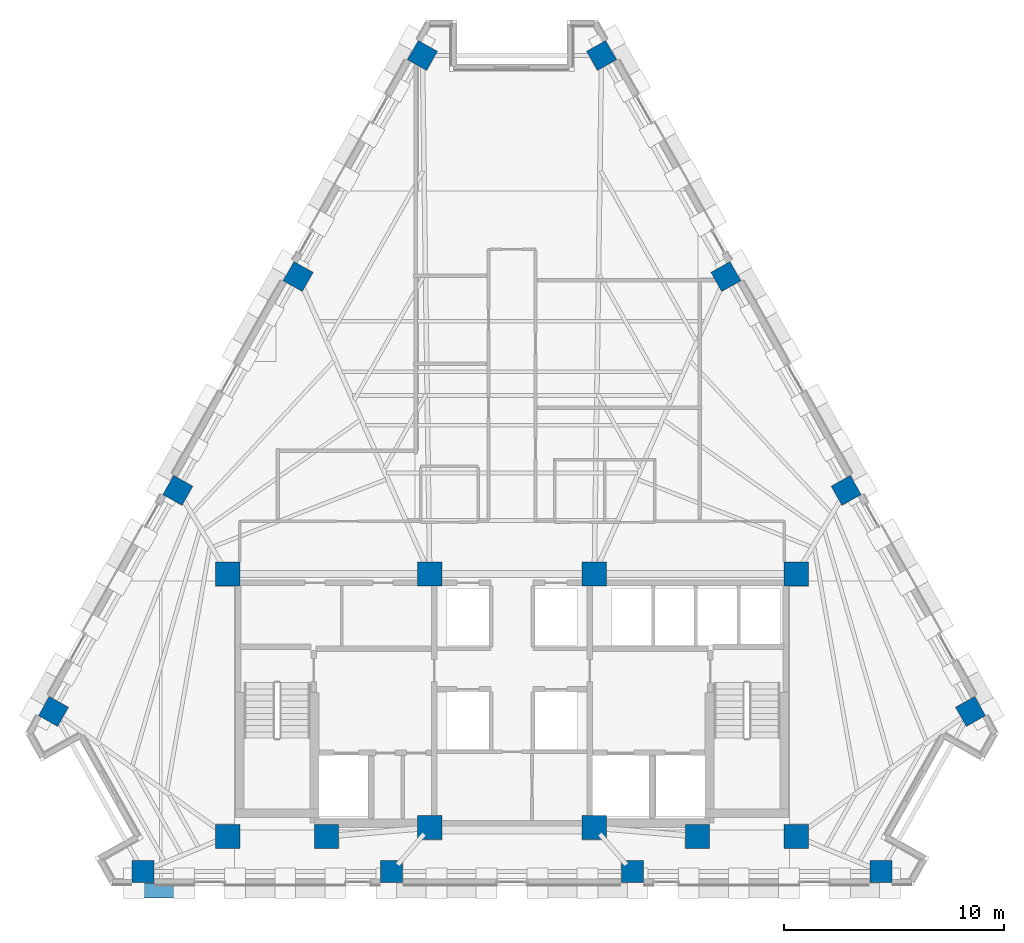
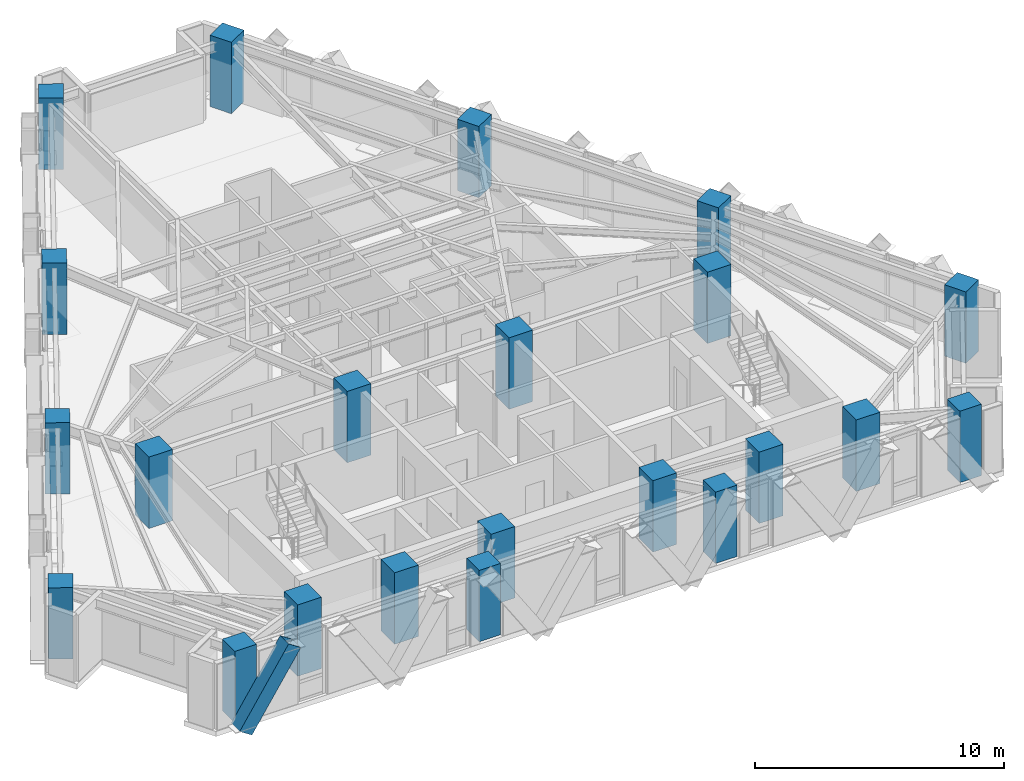
# One storey, part 1 of 13: 22 columns, 1 member.
"""IFC4 building model written with IfcOpenShell, lengths in metres."""

import ifcopenshell
import ifcopenshell.guid

model = None  # the IFC model being written
_history = None  # IfcOwnerHistory: only IFC2X3 demands one
_inside = {}  # id of a spatial element -> (the spatial element, [elements in it])
_under = {}  # id of a project, library or spatial element -> (it, [spatial elements below it])
_declared = {}  # id of a project -> (the project, [libraries it declares])
_typed = {}  # id of a type object -> (the type object, [elements of that type])
_made_of = {}  # id of a material, layer set ... -> (it, [elements and type objects made of it])


def new_model(schema):
    """Start an empty IFC model of exactly this schema.

    Asked for "IFC4X3", IfcOpenShell would pick the latest addendum, in which some entities
    have other attributes; the version numbers below select the first issue.
    IFC2X3 requires an IfcOwnerHistory on every rooted entity: one is made here for all.
    """
    global model, _history
    if schema == "IFC4X3":
        model = ifcopenshell.file(schema_version=(4, 3, 0, 0))
    else:
        model = ifcopenshell.file(schema=schema)
    _inside.clear()
    _under.clear()
    _declared.clear()
    _typed.clear()
    _made_of.clear()
    _history = None
    if model.schema == "IFC2X3":
        org = make("IfcOrganization", Name="unknown")
        user = make(
            "IfcPersonAndOrganization",
            ThePerson=make("IfcPerson", FamilyName="unknown"),
            TheOrganization=org,
        )
        app = make(
            "IfcApplication",
            ApplicationDeveloper=org,
            Version="unknown",
            ApplicationFullName="unknown",
            ApplicationIdentifier="unknown",
        )
        _history = make(
            "IfcOwnerHistory",
            OwningUser=user,
            OwningApplication=app,
            ChangeAction="ADDED",
            CreationDate=0,
        )
    return model


def make(cls, **values):
    """One entity of the class cls with the attributes given. An attribute that is None is left unset."""
    return model.create_entity(
        cls, **{name: value for name, value in values.items() if value is not None}
    )


def rooted(cls, **values):
    """An entity with a GlobalId (a new one), such as an element, a storey or a relation."""
    return make(cls, GlobalId=ifcopenshell.guid.new(), OwnerHistory=_history, **values)


def si_unit(unit_type, name, prefix=None):
    """IfcSIUnit, for example si_unit("LENGTHUNIT", "METRE", prefix="MILLI")."""
    return make("IfcSIUnit", UnitType=unit_type, Prefix=prefix, Name=name)


def assignment(units):
    """IfcUnitAssignment: the units of a project."""
    return None if units is None else make("IfcUnitAssignment", Units=units)


def point(xyz):
    """IfcCartesianPoint."""
    return None if xyz is None else make("IfcCartesianPoint", Coordinates=xyz)


def direction(xyz):
    """IfcDirection."""
    return None if xyz is None else make("IfcDirection", DirectionRatios=xyz)


def frame(location, z_axis=None, x_axis=None):
    """IfcAxis2Placement3D, a coordinate frame: its origin and axes. An axis left out is left unset."""
    return make(
        "IfcAxis2Placement3D",
        Location=point(location),
        Axis=direction(z_axis),
        RefDirection=direction(x_axis),
    )


def frame_2d(location, x_axis=None):
    """IfcAxis2Placement2D, a coordinate frame in the plane: its origin and x axis."""
    return make(
        "IfcAxis2Placement2D", Location=point(location), RefDirection=direction(x_axis)
    )


def origin():
    """The frame at (0, 0, 0) with its axes left unset."""
    return frame((0.0, 0.0, 0.0))


def origin_2d():
    """The frame at (0, 0) in the plane with its x axis left unset."""
    return frame_2d((0.0, 0.0))


def place(relative_to, where):
    """IfcLocalPlacement: puts the frame where relative to a parent placement (None: the world)."""
    return make(
        "IfcLocalPlacement", PlacementRelTo=relative_to, RelativePlacement=where
    )


def context(
    kind, dimensions, precision=None, world=None, true_north=None, identifier=None
):
    """IfcGeometricRepresentationContext, for example the 3D "Model" context."""
    return make(
        "IfcGeometricRepresentationContext",
        ContextIdentifier=identifier,
        ContextType=kind,
        CoordinateSpaceDimension=dimensions,
        Precision=precision,
        WorldCoordinateSystem=world,
        TrueNorth=true_north,
    )


def subcontext(parent, identifier, kind, view, scale=None):
    """IfcGeometricRepresentationSubContext, for example "Body" below "Model"."""
    return make(
        "IfcGeometricRepresentationSubContext",
        ContextIdentifier=identifier,
        ContextType=kind,
        ParentContext=parent,
        TargetScale=scale,
        TargetView=view,
    )


def project(units=None, contexts=None):
    """IfcProject with its units and contexts."""
    return rooted(
        "IfcProject",
        Name="project",
        RepresentationContexts=contexts,
        UnitsInContext=assignment(units),
    )


def spatial(cls, under=None, at=None, **own):
    """A site, building, storey or space (cls), placed at a placement, below another one or the project."""
    s = rooted(cls, ObjectPlacement=at, **own)
    if under is not None:
        _under.setdefault(under.id(), (under, []))[1].append(s)
    return s


def profile(cls, at=None, kind="AREA", **sizes):
    """A parametric profile (cls). Its sizes go by their IFC names, for example OverallWidth=200.0."""
    return make(cls, ProfileType=kind, Position=at, **sizes)


def rectangle(**sizes):
    """IfcRectangleProfileDef."""
    return profile("IfcRectangleProfileDef", **sizes)


def hollow_rectangle(**sizes):
    """IfcRectangleHollowProfileDef."""
    return profile("IfcRectangleHollowProfileDef", **sizes)


def extrude(swept, where, along, depth):
    """IfcExtrudedAreaSolid: the profile swept, set in the frame where, extruded along a direction by depth."""
    return make(
        "IfcExtrudedAreaSolid",
        SweptArea=swept,
        Position=where,
        ExtrudedDirection=direction(along),
        Depth=depth,
    )


def shape(context_of_items, identifier, shape_type, items):
    """IfcShapeRepresentation: the items that make up one representation, for example the "Body"."""
    return make(
        "IfcShapeRepresentation",
        ContextOfItems=context_of_items,
        RepresentationIdentifier=identifier,
        RepresentationType=shape_type,
        Items=items,
    )


def material(Name=None, Category=None):
    """IfcMaterial."""
    return make("IfcMaterial", Name=Name, Category=Category)


def material_profile(
    of_material, cross_section, Name=None, Category=None, Priority=None
):
    """IfcMaterialProfile: a cross section and its material."""
    return make(
        "IfcMaterialProfile",
        Name=Name,
        Material=of_material,
        Profile=cross_section,
        Priority=Priority,
        Category=Category,
    )


def profile_set(profiles, Name=None, composite=None):
    """IfcMaterialProfileSet."""
    return make(
        "IfcMaterialProfileSet",
        Name=Name,
        MaterialProfiles=profiles,
        CompositeProfile=composite,
    )


def made_of(thing, what):
    """Note that an element or type object is made of a material, layer set ...; save() writes the relation."""
    if what is not None:
        _made_of.setdefault(what.id(), (what, []))[1].append(thing)
    return thing


def type_object(cls, material=None, **own):
    """A type object (cls), such as IfcWallType, which elements share."""
    return made_of(rooted(cls, **own), material)


def element(
    cls,
    number,
    at=None,
    inside=None,
    cuts=None,
    type_object=None,
    material=None,
    context=None,
    identifier="Body",
    shape_type=None,
    held_by="IfcProductDefinitionShape",
    body=None,
    shapes=None,
    **own,
):
    """One element of the class cls, such as IfcWall. Its Tag is "e" and its number.

    at: its placement. inside: the storey or other place that contains it. cuts: it is an
    opening in that element (IfcRelVoidsElement). A single representation is given by context,
    identifier, shape_type and body (its items); several are given by shapes. held_by: the class
    of the entity that holds the representations. save() writes the other relations.
    """
    e = rooted(cls, Tag="e%d" % number, ObjectPlacement=at, **own)
    if body is not None:
        shapes = [shape(context, identifier, shape_type, body)]
    if shapes is not None:
        e.Representation = make(held_by, Representations=shapes)
    if inside is not None:
        _inside.setdefault(inside.id(), (inside, []))[1].append(e)
    if cuts is not None:
        rooted(
            "IfcRelVoidsElement", RelatingBuildingElement=cuts, RelatedOpeningElement=e
        )
    if type_object is not None:
        _typed.setdefault(type_object.id(), (type_object, []))[1].append(e)
    return made_of(e, material)


def aggregate(whole, parts):
    """IfcRelAggregates: a whole, such as a stair, and the parts it consists of."""
    return rooted("IfcRelAggregates", RelatingObject=whole, RelatedObjects=parts)


def save(model, path):
    """Write the relations noted so far, then the file.

    IfcRelAggregates (storeys below a building ...), IfcRelContainedInSpatialStructure (elements
    in a storey), IfcRelDefinesByType, IfcRelAssociatesMaterial and IfcRelDeclares: one each for
    every whole, place, type object, material and project.
    """
    for whole, parts in _under.values():
        aggregate(whole, parts)
    for where, things in _inside.values():
        rooted(
            "IfcRelContainedInSpatialStructure",
            RelatedElements=things,
            RelatingStructure=where,
        )
    for kind, things in _typed.values():
        rooted("IfcRelDefinesByType", RelatedObjects=things, RelatingType=kind)
    for what, things in _made_of.values():
        rooted("IfcRelAssociatesMaterial", RelatedObjects=things, RelatingMaterial=what)
    for by, libraries in _declared.values():
        rooted("IfcRelDeclares", RelatingContext=by, RelatedDefinitions=libraries)
    model.write(path)


model = new_model("IFC4")

# Units and contexts
model_context = context("Model", 3, precision=1e-05, world=origin(), true_north=direction((0.0, 1.0)))
body_context = subcontext(model_context, "Body", "Model", "MODEL_VIEW")
ifc_project = project(units=[si_unit("LENGTHUNIT", "METRE"), si_unit("AREAUNIT", "SQUARE_METRE"), si_unit("VOLUMEUNIT", "CUBIC_METRE"), si_unit("PLANEANGLEUNIT", "RADIAN"), si_unit("MASSUNIT", "GRAM", prefix="KILO")], contexts=[model_context])

# Site, building, storey
site_placement = place(None, origin())
site = spatial("IfcSite", under=ifc_project, at=site_placement, CompositionType="ELEMENT")
building_placement = place(site_placement, origin())
building = spatial("IfcBuilding", under=site, at=building_placement, Name="Quenlor Broadcast Tower", CompositionType="ELEMENT")
storey_placement = place(building_placement, frame((0.0, 0.0, 151.0)))
storey = spatial("IfcBuildingStorey", under=building, at=storey_placement, Name="L41", CompositionType="ELEMENT", Elevation=151.0)

# Columns
ifc_material_1 = material(Name="Concrete C65/80", Category="concrete")
ifc_material_profile_1 = material_profile(ifc_material_1, rectangle(XDim=1.10009765625, YDim=1.10009765625, at=origin_2d()))
ifc_profile_set_1 = profile_set([ifc_material_profile_1], Name="Concrete C65/80 RC1100x1100")
column_type_1 = type_object("IfcColumnType", Name="Core Corner Column Mid Concrete C65/80 1100", PredefinedType="COLUMN", material=ifc_profile_set_1)
for number, where, z_axis, x_axis, name in (
    (1, (-12.949951171875, -16.75, 0.0), (0.0, 0.0, 1.0), (1.0, 0.0, 0.0), "L41 Core Column CC1"),
    (2, (-8.449951171875, -16.75, 0.0), (0.0, 0.0, 1.0), (1.0, 0.0, 0.0), "L41 Core Column CC2"),
    (3, (-3.75, -16.35009765625, 0.0), (0.0, 0.0, 1.0), (1.0, 0.0, 0.0), "L41 Core Column CC3"),
    (4, (3.75, -16.35009765625, 0.0), (0.0, 0.0, 1.0), (1.0, 0.0, 0.0), "L41 Core Column CC4"),
    (5, (8.449951171875, -16.75, 0.0), (0.0, 0.0, 1.0), (1.0, 0.0, 0.0), "L41 Core Column CC5"),
    (6, (12.949951171875, -16.75, 0.0), (0.0, 0.0, 1.0), (1.0, 0.0, 0.0), "L41 Core Column CC6"),
    (7, (-12.949951171875, -4.800048828125, 0.0), (0.0, 0.0, 1.0), (1.0, 0.0, 0.0), "L41 Core Column CC7"),
    (8, (-3.75, -4.800048828125, 0.0), (0.0, 0.0, 1.0), (1.0, 0.0, 0.0), "L41 Core Column CC8"),
    (9, (3.75, -4.800048828125, 0.0), (0.0, 0.0, 1.0), (1.0, 0.0, 0.0), "L41 Core Column CC9"),
    (10, (12.949951171875, -4.800048828125, 0.0), (0.0, 0.0, 1.0), (1.0, 0.0, 0.0), "L41 Core Column CC10"),
):
    element("IfcColumn", number, at=place(storey_placement, frame(where, z_axis=z_axis, x_axis=x_axis)), inside=storey, type_object=column_type_1, Name=name, PredefinedType="COLUMN", context=body_context, shape_type="SweptSolid", body=[
        extrude(rectangle(XDim=1.10009765625, YDim=1.10009765625, at=origin_2d()), origin(), (0.0, 0.0, 1.0), 3.5),
    ])
ifc_material_2 = material(Name="Concrete C50/60", Category="concrete")
ifc_material_profile_2 = material_profile(ifc_material_2, rectangle(XDim=1.0, YDim=1.0, at=origin_2d()))
ifc_profile_set_2 = profile_set([ifc_material_profile_2], Name="Concrete C50/60 RC1000x1000")
column_type_2 = type_object("IfcColumnType", Name="Tower Perimeter Column Z3 Concrete C50/60 1000", PredefinedType="COLUMN", material=ifc_profile_set_2)
for number, where, z_axis, x_axis, name in (
    (11, (-16.808349609375, -18.35009765625, 0.0), (0.0, 0.0, 1.0), (0.0, 1.0, 0.0), "L41 Perimeter Column S1"),
    (12, (-5.48095703125, -18.35009765625, 0.0), (0.0, 0.0, 1.0), (0.0, 1.0, 0.0), "L41 Perimeter Column S2"),
    (13, (5.48095703125, -18.35009765625, 0.0), (0.0, 0.0, 1.0), (0.0, 1.0, 0.0), "L41 Perimeter Column S3"),
    (14, (16.808349609375, -18.35009765625, 0.0), (0.0, 0.0, 1.0), (0.0, 1.0, 0.0), "L41 Perimeter Column S4"),
    (15, (20.8876953125, -11.0595703125, 0.0), (0.0, 0.0, 1.0), (0.871575139605, 0.490261946333, 0.0), "L41 Perimeter Column NE1"),
    (16, (15.22412109375, -0.99072265625, 0.0), (0.0, 0.0, 1.0), (0.871575139605, 0.490261946333, 0.0), "L41 Perimeter Column NE2"),
    (17, (9.742919921875, 8.75341796875, 0.0), (0.0, 0.0, 1.0), (0.871575139605, 0.490261946333, 0.0), "L41 Perimeter Column NE3"),
    (18, (4.079345703125, 18.822021484375, 0.0), (0.0, 0.0, 1.0), (0.871575139605, 0.490261946333, 0.0), "L41 Perimeter Column NE4"),
    (19, (-4.079345703125, 18.822021484375, 0.0), (0.0, 0.0, 1.0), (-0.871575139605, 0.490261946333, 0.0), "L41 Perimeter Column NW1"),
    (20, (-9.742919921875, 8.75341796875, 0.0), (0.0, 0.0, 1.0), (-0.871575139605, 0.490261946333, 0.0), "L41 Perimeter Column NW2"),
    (21, (-15.22412109375, -0.99072265625, 0.0), (0.0, 0.0, 1.0), (-0.871575139605, 0.490261946333, 0.0), "L41 Perimeter Column NW3"),
    (22, (-20.8876953125, -11.0595703125, 0.0), (0.0, 0.0, 1.0), (-0.871575139605, 0.490261946333, 0.0), "L41 Perimeter Column NW4"),
):
    element("IfcColumn", number, at=place(storey_placement, frame(where, z_axis=z_axis, x_axis=x_axis)), inside=storey, type_object=column_type_2, Name=name, PredefinedType="COLUMN", context=body_context, shape_type="SweptSolid", body=[
        extrude(rectangle(XDim=1.0, YDim=1.0, at=origin_2d()), origin(), (0.0, 0.0, 1.0), 3.5),
    ])

# Member
ifc_material_3 = material(Name="Steel S355", Category="steel")
ifc_material_profile_3 = material_profile(ifc_material_3, hollow_rectangle(XDim=0.679931640625, YDim=0.679931640625, WallThickness=0.02490234375, at=origin_2d()))
ifc_profile_set_3 = profile_set([ifc_material_profile_3], Name="Steel S355 RHS680x680x25")
member_type = type_object("IfcMemberType", Name="Perimeter Diagonal Lattice Brace Z3-Z4 Steel S355 RHS680x25", PredefinedType="BRACE", material=ifc_profile_set_3)
member_placement = place(storey_placement, frame((-17.206298828125, -19.219970703125, -0.1201171875), z_axis=(0.543901560697, 0.0, 0.839149028643), x_axis=(0.0, 1.0, 0.0)))
element("IfcMember", 23, at=member_placement, inside=storey, type_object=member_type, Name="L41 Perimeter Diamond Lattice S-C5B", PredefinedType="BRACE", context=body_context, shape_type="SweptSolid", body=[
    extrude(hollow_rectangle(XDim=0.679931640625, YDim=0.679931640625, WallThickness=0.02490234375, at=origin_2d()), origin(), (0.0, 0.0, 1.0), 4.1708984375),
])

save(model, "model.ifc")
